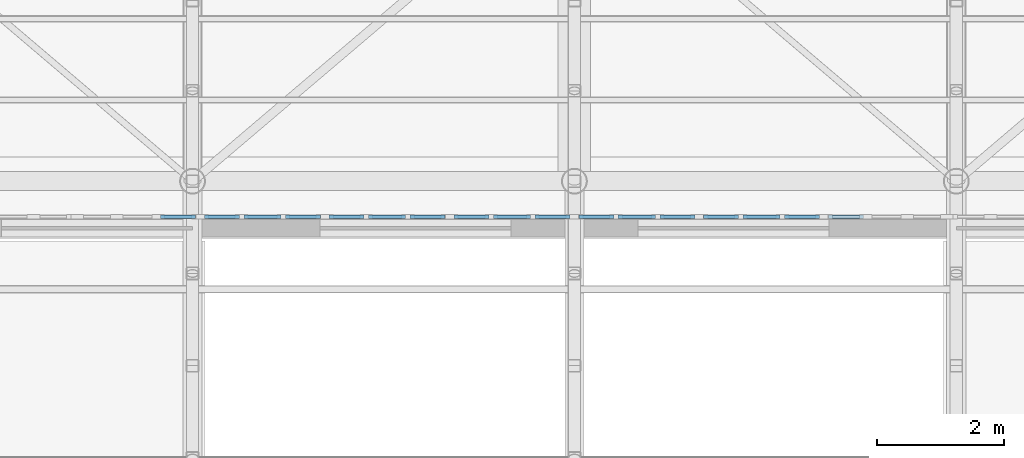
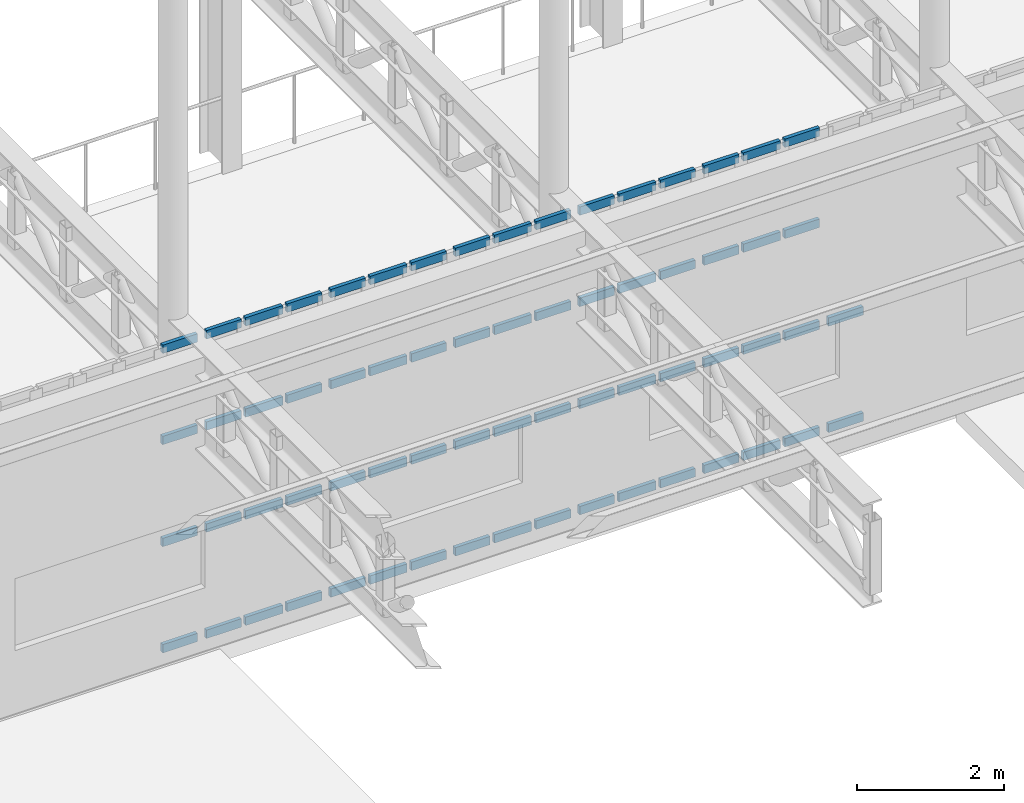
# One storey, part 45 of 75: 66 members, 7 elements without a shape of their own.
"""IFC4 building model written with IfcOpenShell, lengths in metres."""

from ifc_helpers import new_model, si_unit, direction, frame, origin, origin_2d, place, context, subcontext, project, spatial, rectangle, extrude, material, material_profile, profile_set, type_object, element, aggregate, save


model = new_model("IFC4")

# Units and contexts
model_context = context("Model", 3, precision=1e-05, world=origin(), true_north=direction((0.0, 1.0)))
body_context = subcontext(model_context, "Body", "Model", "MODEL_VIEW")
ifc_project = project(units=[si_unit("LENGTHUNIT", "METRE"), si_unit("AREAUNIT", "SQUARE_METRE"), si_unit("VOLUMEUNIT", "CUBIC_METRE"), si_unit("PLANEANGLEUNIT", "RADIAN"), si_unit("MASSUNIT", "GRAM", prefix="KILO")], contexts=[model_context])

# Site, building, storey
site_placement = place(None, origin())
site = spatial("IfcSite", under=ifc_project, at=site_placement, CompositionType="ELEMENT")
building_placement = place(site_placement, origin())
building = spatial("IfcBuilding", under=site, at=building_placement, Name="Kolvaren Corner Interchange", CompositionType="ELEMENT")
storey_placement = place(building_placement, frame((0.0, 0.0, 10.5)))
storey = spatial("IfcBuildingStorey", under=building, at=storey_placement, Name="L03", CompositionType="ELEMENT", Elevation=10.5)

# Curtain wall, members
ifc_material_1 = material(Name="Unitised Aluminium and Solar-Control Glass Curtain Wall", Category="aluminium")
curtain_wall_type = type_object("IfcCurtainWallType", Name="CW-V1-UPPER", PredefinedType="NOTDEFINED", material=ifc_material_1)
curtain_wall_1_placement = place(storey_placement, origin())
curtain_wall_1 = element("IfcCurtainWall", 1, at=curtain_wall_1_placement, inside=storey, type_object=curtain_wall_type, Name="South Portal Upper Curtain Wall Bay 06", PredefinedType="NOTDEFINED")
ifc_material_2 = material(Name="Anodised Aluminium Framing", Category="aluminium")
ifc_material_profile = material_profile(ifc_material_2, rectangle(XDim=0.06005859375, YDim=0.139892578125, at=origin_2d()), Name="ALU 60x140")
ifc_profile_set = profile_set([ifc_material_profile], Name="Anodised Aluminium Framing")
member_type = type_object("IfcMemberType", Name="TRN-ALU60x140", PredefinedType="USERDEFINED", material=ifc_profile_set)
member_1_placement = place(storey_placement, frame((83.498046875, 24.340087890625, 0.030029296875), z_axis=(1.0, 0.0, 0.0), x_axis=(0.0, 1.0, 0.0)))
member_1 = element("IfcMember", 2, at=member_1_placement, type_object=member_type, Name="CW-042 transom 3.1", ObjectType="TRANSOM", PredefinedType="USERDEFINED", context=body_context, shape_type="SweptSolid", body=[
    extrude(rectangle(XDim=0.06005859375, YDim=0.139892578125, at=origin_2d()), origin(), (0.0, 0.0, 1.0), 0.548583984375),
])
member_2_placement = place(storey_placement, frame((83.498046875, 24.340087890625, 1.800048828125), z_axis=(1.0, 0.0, 0.0), x_axis=(0.0, 1.0, 0.0)))
member_2 = element("IfcMember", 3, at=member_2_placement, type_object=member_type, Name="CW-042 transom 3.2", ObjectType="TRANSOM", PredefinedType="USERDEFINED", context=body_context, shape_type="SweptSolid", body=[
    extrude(rectangle(XDim=0.06005859375, YDim=0.139892578125, at=origin_2d()), origin(), (0.0, 0.0, 1.0), 0.548583984375),
])
member_3_placement = place(storey_placement, frame((83.498046875, 24.340087890625, 3.5), z_axis=(1.0, 0.0, 0.0), x_axis=(0.0, 1.0, 0.0)))
member_3 = element("IfcMember", 4, at=member_3_placement, type_object=member_type, Name="CW-042 transom 3.3", ObjectType="TRANSOM", PredefinedType="USERDEFINED", context=body_context, shape_type="SweptSolid", body=[
    extrude(rectangle(XDim=0.06005859375, YDim=0.139892578125, at=origin_2d()), origin(), (0.0, 0.0, 1.0), 0.548583984375),
])
member_4_placement = place(storey_placement, frame((83.498046875, 24.340087890625, 5.02001953125), z_axis=(1.0, 0.0, 0.0), x_axis=(0.0, 1.0, 0.0)))
member_4 = element("IfcMember", 5, at=member_4_placement, type_object=member_type, Name="CW-042 transom 3.4", ObjectType="TRANSOM", PredefinedType="USERDEFINED", context=body_context, shape_type="SweptSolid", body=[
    extrude(rectangle(XDim=0.06005859375, YDim=0.139892578125, at=origin_2d()), origin(), (0.0, 0.0, 1.0), 0.548583984375),
])
aggregate(curtain_wall_1, [member_1, member_2, member_3, member_4])

curtain_wall_2_placement = place(storey_placement, origin())
curtain_wall_2 = element("IfcCurtainWall", 6, at=curtain_wall_2_placement, inside=storey, type_object=curtain_wall_type, Name="South Portal Upper Curtain Wall Bay 07", PredefinedType="NOTDEFINED")
member_5_placement = place(storey_placement, frame((84.186767578125, 24.340087890625, 0.030029296875), z_axis=(1.0, 0.0, 0.0), x_axis=(0.0, 1.0, 0.0)))
member_5 = element("IfcMember", 7, at=member_5_placement, type_object=member_type, Name="CW-043 transom 1.1", ObjectType="TRANSOM", PredefinedType="USERDEFINED", context=body_context, shape_type="SweptSolid", body=[
    extrude(rectangle(XDim=0.06005859375, YDim=0.139892578125, at=origin_2d()), origin(), (0.0, 0.0, 1.0), 0.548583984375),
])
member_6_placement = place(storey_placement, frame((84.186767578125, 24.340087890625, 1.800048828125), z_axis=(1.0, 0.0, 0.0), x_axis=(0.0, 1.0, 0.0)))
member_6 = element("IfcMember", 8, at=member_6_placement, type_object=member_type, Name="CW-043 transom 1.2", ObjectType="TRANSOM", PredefinedType="USERDEFINED", context=body_context, shape_type="SweptSolid", body=[
    extrude(rectangle(XDim=0.06005859375, YDim=0.139892578125, at=origin_2d()), origin(), (0.0, 0.0, 1.0), 0.548583984375),
])
member_7_placement = place(storey_placement, frame((84.186767578125, 24.340087890625, 3.5), z_axis=(1.0, 0.0, 0.0), x_axis=(0.0, 1.0, 0.0)))
member_7 = element("IfcMember", 9, at=member_7_placement, type_object=member_type, Name="CW-043 transom 1.3", ObjectType="TRANSOM", PredefinedType="USERDEFINED", context=body_context, shape_type="SweptSolid", body=[
    extrude(rectangle(XDim=0.06005859375, YDim=0.139892578125, at=origin_2d()), origin(), (0.0, 0.0, 1.0), 0.548583984375),
])
member_8_placement = place(storey_placement, frame((84.186767578125, 24.340087890625, 5.02001953125), z_axis=(1.0, 0.0, 0.0), x_axis=(0.0, 1.0, 0.0)))
member_8 = element("IfcMember", 10, at=member_8_placement, type_object=member_type, Name="CW-043 transom 1.4", ObjectType="TRANSOM", PredefinedType="USERDEFINED", context=body_context, shape_type="SweptSolid", body=[
    extrude(rectangle(XDim=0.06005859375, YDim=0.139892578125, at=origin_2d()), origin(), (0.0, 0.0, 1.0), 0.548583984375),
])
member_9_placement = place(storey_placement, frame((84.805419921875, 24.340087890625, 0.030029296875), z_axis=(1.0, 0.0, 0.0), x_axis=(0.0, 1.0, 0.0)))
member_9 = element("IfcMember", 11, at=member_9_placement, type_object=member_type, Name="CW-043 transom 2.1", ObjectType="TRANSOM", PredefinedType="USERDEFINED", context=body_context, shape_type="SweptSolid", body=[
    extrude(rectangle(XDim=0.06005859375, YDim=0.139892578125, at=origin_2d()), origin(), (0.0, 0.0, 1.0), 0.583740234375),
])
member_10_placement = place(storey_placement, frame((84.805419921875, 24.340087890625, 1.800048828125), z_axis=(1.0, 0.0, 0.0), x_axis=(0.0, 1.0, 0.0)))
member_10 = element("IfcMember", 12, at=member_10_placement, type_object=member_type, Name="CW-043 transom 2.2", ObjectType="TRANSOM", PredefinedType="USERDEFINED", context=body_context, shape_type="SweptSolid", body=[
    extrude(rectangle(XDim=0.06005859375, YDim=0.139892578125, at=origin_2d()), origin(), (0.0, 0.0, 1.0), 0.583740234375),
])
member_11_placement = place(storey_placement, frame((84.805419921875, 24.340087890625, 3.5), z_axis=(1.0, 0.0, 0.0), x_axis=(0.0, 1.0, 0.0)))
member_11 = element("IfcMember", 13, at=member_11_placement, type_object=member_type, Name="CW-043 transom 2.3", ObjectType="TRANSOM", PredefinedType="USERDEFINED", context=body_context, shape_type="SweptSolid", body=[
    extrude(rectangle(XDim=0.06005859375, YDim=0.139892578125, at=origin_2d()), origin(), (0.0, 0.0, 1.0), 0.583740234375),
])
member_12_placement = place(storey_placement, frame((84.805419921875, 24.340087890625, 5.02001953125), z_axis=(1.0, 0.0, 0.0), x_axis=(0.0, 1.0, 0.0)))
member_12 = element("IfcMember", 14, at=member_12_placement, type_object=member_type, Name="CW-043 transom 2.4", ObjectType="TRANSOM", PredefinedType="USERDEFINED", context=body_context, shape_type="SweptSolid", body=[
    extrude(rectangle(XDim=0.06005859375, YDim=0.139892578125, at=origin_2d()), origin(), (0.0, 0.0, 1.0), 0.583740234375),
])
member_13_placement = place(storey_placement, frame((85.458984375, 24.340087890625, 0.030029296875), z_axis=(1.0, 0.0, 0.0), x_axis=(0.0, 1.0, 0.0)))
member_13 = element("IfcMember", 15, at=member_13_placement, type_object=member_type, Name="CW-043 transom 3.1", ObjectType="TRANSOM", PredefinedType="USERDEFINED", context=body_context, shape_type="SweptSolid", body=[
    extrude(rectangle(XDim=0.06005859375, YDim=0.139892578125, at=origin_2d()), origin(), (0.0, 0.0, 1.0), 0.548828125),
])
member_14_placement = place(storey_placement, frame((85.458984375, 24.340087890625, 1.800048828125), z_axis=(1.0, 0.0, 0.0), x_axis=(0.0, 1.0, 0.0)))
member_14 = element("IfcMember", 16, at=member_14_placement, type_object=member_type, Name="CW-043 transom 3.2", ObjectType="TRANSOM", PredefinedType="USERDEFINED", context=body_context, shape_type="SweptSolid", body=[
    extrude(rectangle(XDim=0.06005859375, YDim=0.139892578125, at=origin_2d()), origin(), (0.0, 0.0, 1.0), 0.548828125),
])
member_15_placement = place(storey_placement, frame((85.458984375, 24.340087890625, 3.5), z_axis=(1.0, 0.0, 0.0), x_axis=(0.0, 1.0, 0.0)))
member_15 = element("IfcMember", 17, at=member_15_placement, type_object=member_type, Name="CW-043 transom 3.3", ObjectType="TRANSOM", PredefinedType="USERDEFINED", context=body_context, shape_type="SweptSolid", body=[
    extrude(rectangle(XDim=0.06005859375, YDim=0.139892578125, at=origin_2d()), origin(), (0.0, 0.0, 1.0), 0.548828125),
])
member_16_placement = place(storey_placement, frame((85.458984375, 24.340087890625, 5.02001953125), z_axis=(1.0, 0.0, 0.0), x_axis=(0.0, 1.0, 0.0)))
member_16 = element("IfcMember", 18, at=member_16_placement, type_object=member_type, Name="CW-043 transom 3.4", ObjectType="TRANSOM", PredefinedType="USERDEFINED", context=body_context, shape_type="SweptSolid", body=[
    extrude(rectangle(XDim=0.06005859375, YDim=0.139892578125, at=origin_2d()), origin(), (0.0, 0.0, 1.0), 0.548828125),
])
aggregate(curtain_wall_2, [member_5, member_6, member_7, member_8, member_9, member_10, member_11, member_12, member_13, member_14, member_15, member_16])

curtain_wall_3_placement = place(storey_placement, origin())
curtain_wall_3 = element("IfcCurtainWall", 19, at=curtain_wall_3_placement, inside=storey, type_object=curtain_wall_type, Name="South Portal Upper Curtain Wall Bay 08", PredefinedType="NOTDEFINED")
member_17_placement = place(storey_placement, frame((86.147705078125, 24.340087890625, 0.030029296875), z_axis=(1.0, 0.0, 0.0), x_axis=(0.0, 1.0, 0.0)))
member_17 = element("IfcMember", 20, at=member_17_placement, type_object=member_type, Name="CW-044 transom 1.1", ObjectType="TRANSOM", PredefinedType="USERDEFINED", context=body_context, shape_type="SweptSolid", body=[
    extrude(rectangle(XDim=0.06005859375, YDim=0.139892578125, at=origin_2d()), origin(), (0.0, 0.0, 1.0), 0.548828125),
])
member_18_placement = place(storey_placement, frame((86.147705078125, 24.340087890625, 1.800048828125), z_axis=(1.0, 0.0, 0.0), x_axis=(0.0, 1.0, 0.0)))
member_18 = element("IfcMember", 21, at=member_18_placement, type_object=member_type, Name="CW-044 transom 1.2", ObjectType="TRANSOM", PredefinedType="USERDEFINED", context=body_context, shape_type="SweptSolid", body=[
    extrude(rectangle(XDim=0.06005859375, YDim=0.139892578125, at=origin_2d()), origin(), (0.0, 0.0, 1.0), 0.548828125),
])
member_19_placement = place(storey_placement, frame((86.147705078125, 24.340087890625, 3.5), z_axis=(1.0, 0.0, 0.0), x_axis=(0.0, 1.0, 0.0)))
member_19 = element("IfcMember", 22, at=member_19_placement, type_object=member_type, Name="CW-044 transom 1.3", ObjectType="TRANSOM", PredefinedType="USERDEFINED", context=body_context, shape_type="SweptSolid", body=[
    extrude(rectangle(XDim=0.06005859375, YDim=0.139892578125, at=origin_2d()), origin(), (0.0, 0.0, 1.0), 0.548828125),
])
member_20_placement = place(storey_placement, frame((86.147705078125, 24.340087890625, 5.02001953125), z_axis=(1.0, 0.0, 0.0), x_axis=(0.0, 1.0, 0.0)))
member_20 = element("IfcMember", 23, at=member_20_placement, type_object=member_type, Name="CW-044 transom 1.4", ObjectType="TRANSOM", PredefinedType="USERDEFINED", context=body_context, shape_type="SweptSolid", body=[
    extrude(rectangle(XDim=0.06005859375, YDim=0.139892578125, at=origin_2d()), origin(), (0.0, 0.0, 1.0), 0.548828125),
])
member_21_placement = place(storey_placement, frame((86.7666015625, 24.340087890625, 0.030029296875), z_axis=(1.0, 0.0, 0.0), x_axis=(0.0, 1.0, 0.0)))
member_21 = element("IfcMember", 24, at=member_21_placement, type_object=member_type, Name="CW-044 transom 2.1", ObjectType="TRANSOM", PredefinedType="USERDEFINED", context=body_context, shape_type="SweptSolid", body=[
    extrude(rectangle(XDim=0.06005859375, YDim=0.139892578125, at=origin_2d()), origin(), (0.0, 0.0, 1.0), 0.58349609375),
])
member_22_placement = place(storey_placement, frame((86.7666015625, 24.340087890625, 1.800048828125), z_axis=(1.0, 0.0, 0.0), x_axis=(0.0, 1.0, 0.0)))
member_22 = element("IfcMember", 25, at=member_22_placement, type_object=member_type, Name="CW-044 transom 2.2", ObjectType="TRANSOM", PredefinedType="USERDEFINED", context=body_context, shape_type="SweptSolid", body=[
    extrude(rectangle(XDim=0.06005859375, YDim=0.139892578125, at=origin_2d()), origin(), (0.0, 0.0, 1.0), 0.58349609375),
])
member_23_placement = place(storey_placement, frame((86.7666015625, 24.340087890625, 3.5), z_axis=(1.0, 0.0, 0.0), x_axis=(0.0, 1.0, 0.0)))
member_23 = element("IfcMember", 26, at=member_23_placement, type_object=member_type, Name="CW-044 transom 2.3", ObjectType="TRANSOM", PredefinedType="USERDEFINED", context=body_context, shape_type="SweptSolid", body=[
    extrude(rectangle(XDim=0.06005859375, YDim=0.139892578125, at=origin_2d()), origin(), (0.0, 0.0, 1.0), 0.58349609375),
])
member_24_placement = place(storey_placement, frame((86.7666015625, 24.340087890625, 5.02001953125), z_axis=(1.0, 0.0, 0.0), x_axis=(0.0, 1.0, 0.0)))
member_24 = element("IfcMember", 27, at=member_24_placement, type_object=member_type, Name="CW-044 transom 2.4", ObjectType="TRANSOM", PredefinedType="USERDEFINED", context=body_context, shape_type="SweptSolid", body=[
    extrude(rectangle(XDim=0.06005859375, YDim=0.139892578125, at=origin_2d()), origin(), (0.0, 0.0, 1.0), 0.58349609375),
])
member_25_placement = place(storey_placement, frame((87.420166015625, 24.340087890625, 0.030029296875), z_axis=(1.0, 0.0, 0.0), x_axis=(0.0, 1.0, 0.0)))
member_25 = element("IfcMember", 28, at=member_25_placement, type_object=member_type, Name="CW-044 transom 3.1", ObjectType="TRANSOM", PredefinedType="USERDEFINED", context=body_context, shape_type="SweptSolid", body=[
    extrude(rectangle(XDim=0.06005859375, YDim=0.139892578125, at=origin_2d()), origin(), (0.0, 0.0, 1.0), 0.548828125),
])
member_26_placement = place(storey_placement, frame((87.420166015625, 24.340087890625, 1.800048828125), z_axis=(1.0, 0.0, 0.0), x_axis=(0.0, 1.0, 0.0)))
member_26 = element("IfcMember", 29, at=member_26_placement, type_object=member_type, Name="CW-044 transom 3.2", ObjectType="TRANSOM", PredefinedType="USERDEFINED", context=body_context, shape_type="SweptSolid", body=[
    extrude(rectangle(XDim=0.06005859375, YDim=0.139892578125, at=origin_2d()), origin(), (0.0, 0.0, 1.0), 0.548828125),
])
member_27_placement = place(storey_placement, frame((87.420166015625, 24.340087890625, 3.5), z_axis=(1.0, 0.0, 0.0), x_axis=(0.0, 1.0, 0.0)))
member_27 = element("IfcMember", 30, at=member_27_placement, type_object=member_type, Name="CW-044 transom 3.3", ObjectType="TRANSOM", PredefinedType="USERDEFINED", context=body_context, shape_type="SweptSolid", body=[
    extrude(rectangle(XDim=0.06005859375, YDim=0.139892578125, at=origin_2d()), origin(), (0.0, 0.0, 1.0), 0.548828125),
])
member_28_placement = place(storey_placement, frame((87.420166015625, 24.340087890625, 5.02001953125), z_axis=(1.0, 0.0, 0.0), x_axis=(0.0, 1.0, 0.0)))
member_28 = element("IfcMember", 31, at=member_28_placement, type_object=member_type, Name="CW-044 transom 3.4", ObjectType="TRANSOM", PredefinedType="USERDEFINED", context=body_context, shape_type="SweptSolid", body=[
    extrude(rectangle(XDim=0.06005859375, YDim=0.139892578125, at=origin_2d()), origin(), (0.0, 0.0, 1.0), 0.548828125),
])
aggregate(curtain_wall_3, [member_17, member_18, member_19, member_20, member_21, member_22, member_23, member_24, member_25, member_26, member_27, member_28])

curtain_wall_4_placement = place(storey_placement, origin())
curtain_wall_4 = element("IfcCurtainWall", 32, at=curtain_wall_4_placement, inside=storey, type_object=curtain_wall_type, Name="South Portal Upper Curtain Wall Bay 09", PredefinedType="NOTDEFINED")
member_29_placement = place(storey_placement, frame((88.10888671875, 24.340087890625, 0.030029296875), z_axis=(1.0, 0.0, 0.0), x_axis=(0.0, 1.0, 0.0)))
member_29 = element("IfcMember", 33, at=member_29_placement, type_object=member_type, Name="CW-045 transom 1.1", ObjectType="TRANSOM", PredefinedType="USERDEFINED", context=body_context, shape_type="SweptSolid", body=[
    extrude(rectangle(XDim=0.06005859375, YDim=0.139892578125, at=origin_2d()), origin(), (0.0, 0.0, 1.0), 0.548828125),
])
member_30_placement = place(storey_placement, frame((88.10888671875, 24.340087890625, 1.800048828125), z_axis=(1.0, 0.0, 0.0), x_axis=(0.0, 1.0, 0.0)))
member_30 = element("IfcMember", 34, at=member_30_placement, type_object=member_type, Name="CW-045 transom 1.2", ObjectType="TRANSOM", PredefinedType="USERDEFINED", context=body_context, shape_type="SweptSolid", body=[
    extrude(rectangle(XDim=0.06005859375, YDim=0.139892578125, at=origin_2d()), origin(), (0.0, 0.0, 1.0), 0.548828125),
])
member_31_placement = place(storey_placement, frame((88.10888671875, 24.340087890625, 3.5), z_axis=(1.0, 0.0, 0.0), x_axis=(0.0, 1.0, 0.0)))
member_31 = element("IfcMember", 35, at=member_31_placement, type_object=member_type, Name="CW-045 transom 1.3", ObjectType="TRANSOM", PredefinedType="USERDEFINED", context=body_context, shape_type="SweptSolid", body=[
    extrude(rectangle(XDim=0.06005859375, YDim=0.139892578125, at=origin_2d()), origin(), (0.0, 0.0, 1.0), 0.548828125),
])
member_32_placement = place(storey_placement, frame((88.10888671875, 24.340087890625, 5.02001953125), z_axis=(1.0, 0.0, 0.0), x_axis=(0.0, 1.0, 0.0)))
member_32 = element("IfcMember", 36, at=member_32_placement, type_object=member_type, Name="CW-045 transom 1.4", ObjectType="TRANSOM", PredefinedType="USERDEFINED", context=body_context, shape_type="SweptSolid", body=[
    extrude(rectangle(XDim=0.06005859375, YDim=0.139892578125, at=origin_2d()), origin(), (0.0, 0.0, 1.0), 0.548828125),
])
member_33_placement = place(storey_placement, frame((88.7275390625, 24.340087890625, 0.030029296875), z_axis=(1.0, 0.0, 0.0), x_axis=(0.0, 1.0, 0.0)))
member_33 = element("IfcMember", 37, at=member_33_placement, type_object=member_type, Name="CW-045 transom 2.1", ObjectType="TRANSOM", PredefinedType="USERDEFINED", context=body_context, shape_type="SweptSolid", body=[
    extrude(rectangle(XDim=0.06005859375, YDim=0.139892578125, at=origin_2d()), origin(), (0.0, 0.0, 1.0), 0.583740234375),
])
member_34_placement = place(storey_placement, frame((88.7275390625, 24.340087890625, 1.800048828125), z_axis=(1.0, 0.0, 0.0), x_axis=(0.0, 1.0, 0.0)))
member_34 = element("IfcMember", 38, at=member_34_placement, type_object=member_type, Name="CW-045 transom 2.2", ObjectType="TRANSOM", PredefinedType="USERDEFINED", context=body_context, shape_type="SweptSolid", body=[
    extrude(rectangle(XDim=0.06005859375, YDim=0.139892578125, at=origin_2d()), origin(), (0.0, 0.0, 1.0), 0.583740234375),
])
member_35_placement = place(storey_placement, frame((88.7275390625, 24.340087890625, 3.5), z_axis=(1.0, 0.0, 0.0), x_axis=(0.0, 1.0, 0.0)))
member_35 = element("IfcMember", 39, at=member_35_placement, type_object=member_type, Name="CW-045 transom 2.3", ObjectType="TRANSOM", PredefinedType="USERDEFINED", context=body_context, shape_type="SweptSolid", body=[
    extrude(rectangle(XDim=0.06005859375, YDim=0.139892578125, at=origin_2d()), origin(), (0.0, 0.0, 1.0), 0.583740234375),
])
member_36_placement = place(storey_placement, frame((88.7275390625, 24.340087890625, 5.02001953125), z_axis=(1.0, 0.0, 0.0), x_axis=(0.0, 1.0, 0.0)))
member_36 = element("IfcMember", 40, at=member_36_placement, type_object=member_type, Name="CW-045 transom 2.4", ObjectType="TRANSOM", PredefinedType="USERDEFINED", context=body_context, shape_type="SweptSolid", body=[
    extrude(rectangle(XDim=0.06005859375, YDim=0.139892578125, at=origin_2d()), origin(), (0.0, 0.0, 1.0), 0.583740234375),
])
member_37_placement = place(storey_placement, frame((89.38134765625, 24.340087890625, 0.030029296875), z_axis=(1.0, 0.0, 0.0), x_axis=(0.0, 1.0, 0.0)))
member_37 = element("IfcMember", 41, at=member_37_placement, type_object=member_type, Name="CW-045 transom 3.1", ObjectType="TRANSOM", PredefinedType="USERDEFINED", context=body_context, shape_type="SweptSolid", body=[
    extrude(rectangle(XDim=0.06005859375, YDim=0.139892578125, at=origin_2d()), origin(), (0.0, 0.0, 1.0), 0.548583984375),
])
member_38_placement = place(storey_placement, frame((89.38134765625, 24.340087890625, 1.800048828125), z_axis=(1.0, 0.0, 0.0), x_axis=(0.0, 1.0, 0.0)))
member_38 = element("IfcMember", 42, at=member_38_placement, type_object=member_type, Name="CW-045 transom 3.2", ObjectType="TRANSOM", PredefinedType="USERDEFINED", context=body_context, shape_type="SweptSolid", body=[
    extrude(rectangle(XDim=0.06005859375, YDim=0.139892578125, at=origin_2d()), origin(), (0.0, 0.0, 1.0), 0.548583984375),
])
member_39_placement = place(storey_placement, frame((89.38134765625, 24.340087890625, 3.5), z_axis=(1.0, 0.0, 0.0), x_axis=(0.0, 1.0, 0.0)))
member_39 = element("IfcMember", 43, at=member_39_placement, type_object=member_type, Name="CW-045 transom 3.3", ObjectType="TRANSOM", PredefinedType="USERDEFINED", context=body_context, shape_type="SweptSolid", body=[
    extrude(rectangle(XDim=0.06005859375, YDim=0.139892578125, at=origin_2d()), origin(), (0.0, 0.0, 1.0), 0.548583984375),
])
member_40_placement = place(storey_placement, frame((89.38134765625, 24.340087890625, 5.02001953125), z_axis=(1.0, 0.0, 0.0), x_axis=(0.0, 1.0, 0.0)))
member_40 = element("IfcMember", 44, at=member_40_placement, type_object=member_type, Name="CW-045 transom 3.4", ObjectType="TRANSOM", PredefinedType="USERDEFINED", context=body_context, shape_type="SweptSolid", body=[
    extrude(rectangle(XDim=0.06005859375, YDim=0.139892578125, at=origin_2d()), origin(), (0.0, 0.0, 1.0), 0.548583984375),
])
aggregate(curtain_wall_4, [member_29, member_30, member_31, member_32, member_33, member_34, member_35, member_36, member_37, member_38, member_39, member_40])

curtain_wall_5_placement = place(storey_placement, origin())
curtain_wall_5 = element("IfcCurtainWall", 45, at=curtain_wall_5_placement, inside=storey, type_object=curtain_wall_type, Name="South Portal Upper Curtain Wall Bay 10", PredefinedType="NOTDEFINED")
member_41_placement = place(storey_placement, frame((90.070068359375, 24.340087890625, 0.030029296875), z_axis=(1.0, 0.0, 0.0), x_axis=(0.0, 1.0, 0.0)))
member_41 = element("IfcMember", 46, at=member_41_placement, type_object=member_type, Name="CW-046 transom 1.1", ObjectType="TRANSOM", PredefinedType="USERDEFINED", context=body_context, shape_type="SweptSolid", body=[
    extrude(rectangle(XDim=0.06005859375, YDim=0.139892578125, at=origin_2d()), origin(), (0.0, 0.0, 1.0), 0.548583984375),
])
member_42_placement = place(storey_placement, frame((90.070068359375, 24.340087890625, 1.800048828125), z_axis=(1.0, 0.0, 0.0), x_axis=(0.0, 1.0, 0.0)))
member_42 = element("IfcMember", 47, at=member_42_placement, type_object=member_type, Name="CW-046 transom 1.2", ObjectType="TRANSOM", PredefinedType="USERDEFINED", context=body_context, shape_type="SweptSolid", body=[
    extrude(rectangle(XDim=0.06005859375, YDim=0.139892578125, at=origin_2d()), origin(), (0.0, 0.0, 1.0), 0.548583984375),
])
member_43_placement = place(storey_placement, frame((90.070068359375, 24.340087890625, 3.5), z_axis=(1.0, 0.0, 0.0), x_axis=(0.0, 1.0, 0.0)))
member_43 = element("IfcMember", 48, at=member_43_placement, type_object=member_type, Name="CW-046 transom 1.3", ObjectType="TRANSOM", PredefinedType="USERDEFINED", context=body_context, shape_type="SweptSolid", body=[
    extrude(rectangle(XDim=0.06005859375, YDim=0.139892578125, at=origin_2d()), origin(), (0.0, 0.0, 1.0), 0.548583984375),
])
member_44_placement = place(storey_placement, frame((90.070068359375, 24.340087890625, 5.02001953125), z_axis=(1.0, 0.0, 0.0), x_axis=(0.0, 1.0, 0.0)))
member_44 = element("IfcMember", 49, at=member_44_placement, type_object=member_type, Name="CW-046 transom 1.4", ObjectType="TRANSOM", PredefinedType="USERDEFINED", context=body_context, shape_type="SweptSolid", body=[
    extrude(rectangle(XDim=0.06005859375, YDim=0.139892578125, at=origin_2d()), origin(), (0.0, 0.0, 1.0), 0.548583984375),
])
member_45_placement = place(storey_placement, frame((90.688720703125, 24.340087890625, 0.030029296875), z_axis=(1.0, 0.0, 0.0), x_axis=(0.0, 1.0, 0.0)))
member_45 = element("IfcMember", 50, at=member_45_placement, type_object=member_type, Name="CW-046 transom 2.1", ObjectType="TRANSOM", PredefinedType="USERDEFINED", context=body_context, shape_type="SweptSolid", body=[
    extrude(rectangle(XDim=0.06005859375, YDim=0.139892578125, at=origin_2d()), origin(), (0.0, 0.0, 1.0), 0.583740234375),
])
member_46_placement = place(storey_placement, frame((90.688720703125, 24.340087890625, 1.800048828125), z_axis=(1.0, 0.0, 0.0), x_axis=(0.0, 1.0, 0.0)))
member_46 = element("IfcMember", 51, at=member_46_placement, type_object=member_type, Name="CW-046 transom 2.2", ObjectType="TRANSOM", PredefinedType="USERDEFINED", context=body_context, shape_type="SweptSolid", body=[
    extrude(rectangle(XDim=0.06005859375, YDim=0.139892578125, at=origin_2d()), origin(), (0.0, 0.0, 1.0), 0.583740234375),
])
member_47_placement = place(storey_placement, frame((90.688720703125, 24.340087890625, 3.5), z_axis=(1.0, 0.0, 0.0), x_axis=(0.0, 1.0, 0.0)))
member_47 = element("IfcMember", 52, at=member_47_placement, type_object=member_type, Name="CW-046 transom 2.3", ObjectType="TRANSOM", PredefinedType="USERDEFINED", context=body_context, shape_type="SweptSolid", body=[
    extrude(rectangle(XDim=0.06005859375, YDim=0.139892578125, at=origin_2d()), origin(), (0.0, 0.0, 1.0), 0.583740234375),
])
member_48_placement = place(storey_placement, frame((90.688720703125, 24.340087890625, 5.02001953125), z_axis=(1.0, 0.0, 0.0), x_axis=(0.0, 1.0, 0.0)))
member_48 = element("IfcMember", 53, at=member_48_placement, type_object=member_type, Name="CW-046 transom 2.4", ObjectType="TRANSOM", PredefinedType="USERDEFINED", context=body_context, shape_type="SweptSolid", body=[
    extrude(rectangle(XDim=0.06005859375, YDim=0.139892578125, at=origin_2d()), origin(), (0.0, 0.0, 1.0), 0.583740234375),
])
member_49_placement = place(storey_placement, frame((91.34228515625, 24.340087890625, 0.030029296875), z_axis=(1.0, 0.0, 0.0), x_axis=(0.0, 1.0, 0.0)))
member_49 = element("IfcMember", 54, at=member_49_placement, type_object=member_type, Name="CW-046 transom 3.1", ObjectType="TRANSOM", PredefinedType="USERDEFINED", context=body_context, shape_type="SweptSolid", body=[
    extrude(rectangle(XDim=0.06005859375, YDim=0.139892578125, at=origin_2d()), origin(), (0.0, 0.0, 1.0), 0.548828125),
])
member_50_placement = place(storey_placement, frame((91.34228515625, 24.340087890625, 1.800048828125), z_axis=(1.0, 0.0, 0.0), x_axis=(0.0, 1.0, 0.0)))
member_50 = element("IfcMember", 55, at=member_50_placement, type_object=member_type, Name="CW-046 transom 3.2", ObjectType="TRANSOM", PredefinedType="USERDEFINED", context=body_context, shape_type="SweptSolid", body=[
    extrude(rectangle(XDim=0.06005859375, YDim=0.139892578125, at=origin_2d()), origin(), (0.0, 0.0, 1.0), 0.548828125),
])
member_51_placement = place(storey_placement, frame((91.34228515625, 24.340087890625, 3.5), z_axis=(1.0, 0.0, 0.0), x_axis=(0.0, 1.0, 0.0)))
member_51 = element("IfcMember", 56, at=member_51_placement, type_object=member_type, Name="CW-046 transom 3.3", ObjectType="TRANSOM", PredefinedType="USERDEFINED", context=body_context, shape_type="SweptSolid", body=[
    extrude(rectangle(XDim=0.06005859375, YDim=0.139892578125, at=origin_2d()), origin(), (0.0, 0.0, 1.0), 0.548828125),
])
member_52_placement = place(storey_placement, frame((91.34228515625, 24.340087890625, 5.02001953125), z_axis=(1.0, 0.0, 0.0), x_axis=(0.0, 1.0, 0.0)))
member_52 = element("IfcMember", 57, at=member_52_placement, type_object=member_type, Name="CW-046 transom 3.4", ObjectType="TRANSOM", PredefinedType="USERDEFINED", context=body_context, shape_type="SweptSolid", body=[
    extrude(rectangle(XDim=0.06005859375, YDim=0.139892578125, at=origin_2d()), origin(), (0.0, 0.0, 1.0), 0.548828125),
])
aggregate(curtain_wall_5, [member_41, member_42, member_43, member_44, member_45, member_46, member_47, member_48, member_49, member_50, member_51, member_52])

curtain_wall_6_placement = place(storey_placement, origin())
curtain_wall_6 = element("IfcCurtainWall", 58, at=curtain_wall_6_placement, inside=storey, type_object=curtain_wall_type, Name="South Portal Upper Curtain Wall Bay 11", PredefinedType="NOTDEFINED")
member_53_placement = place(storey_placement, frame((92.031005859375, 24.340087890625, 0.030029296875), z_axis=(1.0, 0.0, 0.0), x_axis=(0.0, 1.0, 0.0)))
member_53 = element("IfcMember", 59, at=member_53_placement, type_object=member_type, Name="CW-047 transom 1.1", ObjectType="TRANSOM", PredefinedType="USERDEFINED", context=body_context, shape_type="SweptSolid", body=[
    extrude(rectangle(XDim=0.06005859375, YDim=0.139892578125, at=origin_2d()), origin(), (0.0, 0.0, 1.0), 0.548828125),
])
member_54_placement = place(storey_placement, frame((92.031005859375, 24.340087890625, 1.800048828125), z_axis=(1.0, 0.0, 0.0), x_axis=(0.0, 1.0, 0.0)))
member_54 = element("IfcMember", 60, at=member_54_placement, type_object=member_type, Name="CW-047 transom 1.2", ObjectType="TRANSOM", PredefinedType="USERDEFINED", context=body_context, shape_type="SweptSolid", body=[
    extrude(rectangle(XDim=0.06005859375, YDim=0.139892578125, at=origin_2d()), origin(), (0.0, 0.0, 1.0), 0.548828125),
])
member_55_placement = place(storey_placement, frame((92.031005859375, 24.340087890625, 3.5), z_axis=(1.0, 0.0, 0.0), x_axis=(0.0, 1.0, 0.0)))
member_55 = element("IfcMember", 61, at=member_55_placement, type_object=member_type, Name="CW-047 transom 1.3", ObjectType="TRANSOM", PredefinedType="USERDEFINED", context=body_context, shape_type="SweptSolid", body=[
    extrude(rectangle(XDim=0.06005859375, YDim=0.139892578125, at=origin_2d()), origin(), (0.0, 0.0, 1.0), 0.548828125),
])
member_56_placement = place(storey_placement, frame((92.031005859375, 24.340087890625, 5.02001953125), z_axis=(1.0, 0.0, 0.0), x_axis=(0.0, 1.0, 0.0)))
member_56 = element("IfcMember", 62, at=member_56_placement, type_object=member_type, Name="CW-047 transom 1.4", ObjectType="TRANSOM", PredefinedType="USERDEFINED", context=body_context, shape_type="SweptSolid", body=[
    extrude(rectangle(XDim=0.06005859375, YDim=0.139892578125, at=origin_2d()), origin(), (0.0, 0.0, 1.0), 0.548828125),
])
member_57_placement = place(storey_placement, frame((92.64990234375, 24.340087890625, 0.030029296875), z_axis=(1.0, 0.0, 0.0), x_axis=(0.0, 1.0, 0.0)))
member_57 = element("IfcMember", 63, at=member_57_placement, type_object=member_type, Name="CW-047 transom 2.1", ObjectType="TRANSOM", PredefinedType="USERDEFINED", context=body_context, shape_type="SweptSolid", body=[
    extrude(rectangle(XDim=0.06005859375, YDim=0.139892578125, at=origin_2d()), origin(), (0.0, 0.0, 1.0), 0.58349609375),
])
member_58_placement = place(storey_placement, frame((92.64990234375, 24.340087890625, 1.800048828125), z_axis=(1.0, 0.0, 0.0), x_axis=(0.0, 1.0, 0.0)))
member_58 = element("IfcMember", 64, at=member_58_placement, type_object=member_type, Name="CW-047 transom 2.2", ObjectType="TRANSOM", PredefinedType="USERDEFINED", context=body_context, shape_type="SweptSolid", body=[
    extrude(rectangle(XDim=0.06005859375, YDim=0.139892578125, at=origin_2d()), origin(), (0.0, 0.0, 1.0), 0.58349609375),
])
member_59_placement = place(storey_placement, frame((92.64990234375, 24.340087890625, 3.5), z_axis=(1.0, 0.0, 0.0), x_axis=(0.0, 1.0, 0.0)))
member_59 = element("IfcMember", 65, at=member_59_placement, type_object=member_type, Name="CW-047 transom 2.3", ObjectType="TRANSOM", PredefinedType="USERDEFINED", context=body_context, shape_type="SweptSolid", body=[
    extrude(rectangle(XDim=0.06005859375, YDim=0.139892578125, at=origin_2d()), origin(), (0.0, 0.0, 1.0), 0.58349609375),
])
member_60_placement = place(storey_placement, frame((92.64990234375, 24.340087890625, 5.02001953125), z_axis=(1.0, 0.0, 0.0), x_axis=(0.0, 1.0, 0.0)))
member_60 = element("IfcMember", 66, at=member_60_placement, type_object=member_type, Name="CW-047 transom 2.4", ObjectType="TRANSOM", PredefinedType="USERDEFINED", context=body_context, shape_type="SweptSolid", body=[
    extrude(rectangle(XDim=0.06005859375, YDim=0.139892578125, at=origin_2d()), origin(), (0.0, 0.0, 1.0), 0.58349609375),
])
member_61_placement = place(storey_placement, frame((93.303466796875, 24.340087890625, 0.030029296875), z_axis=(1.0, 0.0, 0.0), x_axis=(0.0, 1.0, 0.0)))
member_61 = element("IfcMember", 67, at=member_61_placement, type_object=member_type, Name="CW-047 transom 3.1", ObjectType="TRANSOM", PredefinedType="USERDEFINED", context=body_context, shape_type="SweptSolid", body=[
    extrude(rectangle(XDim=0.06005859375, YDim=0.139892578125, at=origin_2d()), origin(), (0.0, 0.0, 1.0), 0.548828125),
])
member_62_placement = place(storey_placement, frame((93.303466796875, 24.340087890625, 1.800048828125), z_axis=(1.0, 0.0, 0.0), x_axis=(0.0, 1.0, 0.0)))
member_62 = element("IfcMember", 68, at=member_62_placement, type_object=member_type, Name="CW-047 transom 3.2", ObjectType="TRANSOM", PredefinedType="USERDEFINED", context=body_context, shape_type="SweptSolid", body=[
    extrude(rectangle(XDim=0.06005859375, YDim=0.139892578125, at=origin_2d()), origin(), (0.0, 0.0, 1.0), 0.548828125),
])
member_63_placement = place(storey_placement, frame((93.303466796875, 24.340087890625, 3.5), z_axis=(1.0, 0.0, 0.0), x_axis=(0.0, 1.0, 0.0)))
member_63 = element("IfcMember", 69, at=member_63_placement, type_object=member_type, Name="CW-047 transom 3.3", ObjectType="TRANSOM", PredefinedType="USERDEFINED", context=body_context, shape_type="SweptSolid", body=[
    extrude(rectangle(XDim=0.06005859375, YDim=0.139892578125, at=origin_2d()), origin(), (0.0, 0.0, 1.0), 0.548828125),
])
member_64_placement = place(storey_placement, frame((93.303466796875, 24.340087890625, 5.02001953125), z_axis=(1.0, 0.0, 0.0), x_axis=(0.0, 1.0, 0.0)))
member_64 = element("IfcMember", 70, at=member_64_placement, type_object=member_type, Name="CW-047 transom 3.4", ObjectType="TRANSOM", PredefinedType="USERDEFINED", context=body_context, shape_type="SweptSolid", body=[
    extrude(rectangle(XDim=0.06005859375, YDim=0.139892578125, at=origin_2d()), origin(), (0.0, 0.0, 1.0), 0.548828125),
])
aggregate(curtain_wall_6, [member_53, member_54, member_55, member_56, member_57, member_58, member_59, member_60, member_61, member_62, member_63, member_64])

curtain_wall_7_placement = place(storey_placement, origin())
curtain_wall_7 = element("IfcCurtainWall", 71, at=curtain_wall_7_placement, inside=storey, type_object=curtain_wall_type, Name="South Portal Upper Curtain Wall Bay 12", PredefinedType="NOTDEFINED")
member_65_placement = place(storey_placement, frame((93.9921875, 24.340087890625, 0.030029296875), z_axis=(1.0, 0.0, 0.0), x_axis=(0.0, 1.0, 0.0)))
member_65 = element("IfcMember", 72, at=member_65_placement, type_object=member_type, Name="CW-048 transom 1.1", ObjectType="TRANSOM", PredefinedType="USERDEFINED", context=body_context, shape_type="SweptSolid", body=[
    extrude(rectangle(XDim=0.06005859375, YDim=0.139892578125, at=origin_2d()), origin(), (0.0, 0.0, 1.0), 0.548828125),
])
member_66_placement = place(storey_placement, frame((93.9921875, 24.340087890625, 1.800048828125), z_axis=(1.0, 0.0, 0.0), x_axis=(0.0, 1.0, 0.0)))
member_66 = element("IfcMember", 73, at=member_66_placement, type_object=member_type, Name="CW-048 transom 1.2", ObjectType="TRANSOM", PredefinedType="USERDEFINED", context=body_context, shape_type="SweptSolid", body=[
    extrude(rectangle(XDim=0.06005859375, YDim=0.139892578125, at=origin_2d()), origin(), (0.0, 0.0, 1.0), 0.548828125),
])
aggregate(curtain_wall_7, [member_65, member_66])

save(model, "model.ifc")
